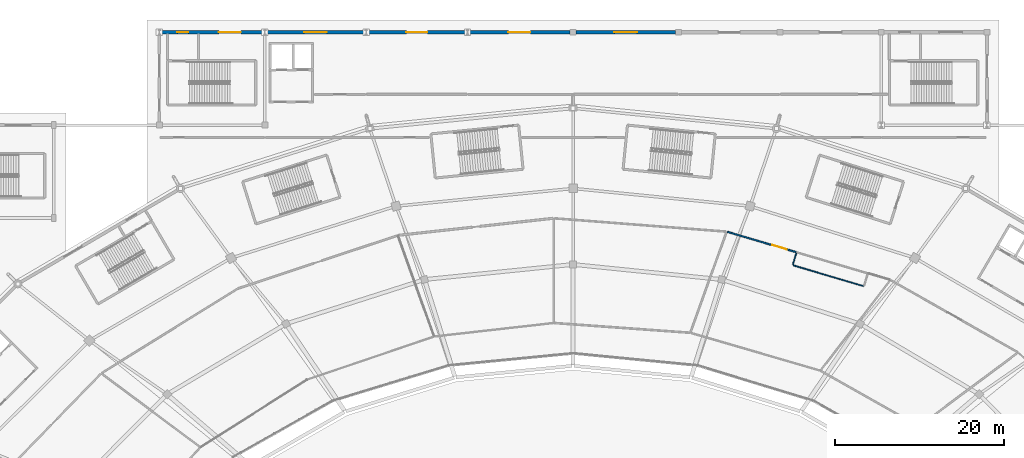
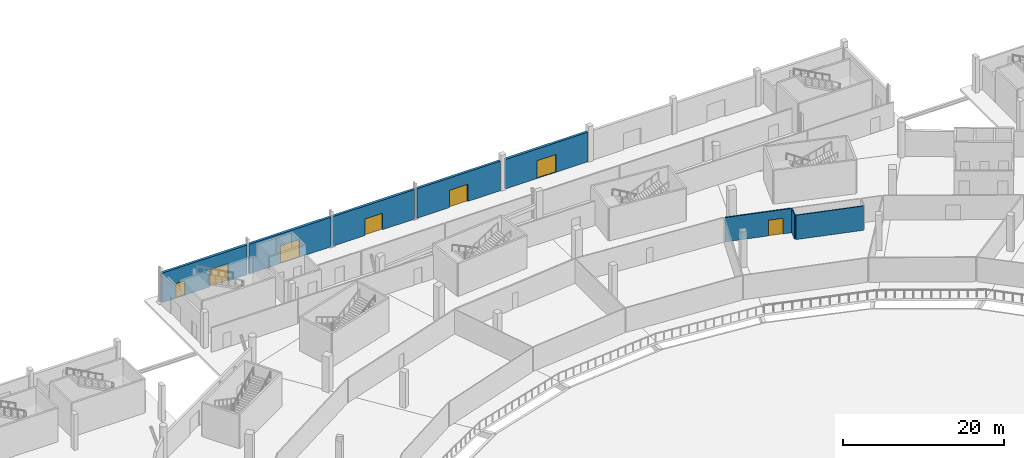
# One storey, part 51 of 82: 8 walls, 7 doors, 7 openings.
"""IFC4 building model written with IfcOpenShell, lengths in metres."""

from ifc_helpers import new_model, si_unit, direction, frame, frame_2d, origin, place, context, subcontext, project, spatial, rectangle, extrude, material, layer, layer_set, type_object, element, fill, save


model = new_model("IFC4")

# Units and contexts
model_context = context("Model", 3, precision=1e-05, world=origin(), true_north=direction((0.0, 1.0)))
body_context = subcontext(model_context, "Body", "Model", "MODEL_VIEW")
ifc_project = project(units=[si_unit("LENGTHUNIT", "METRE"), si_unit("AREAUNIT", "SQUARE_METRE"), si_unit("VOLUMEUNIT", "CUBIC_METRE"), si_unit("PLANEANGLEUNIT", "RADIAN"), si_unit("MASSUNIT", "GRAM", prefix="KILO")], contexts=[model_context])

# Site, building, storey
site_placement = place(None, origin())
site = spatial("IfcSite", under=ifc_project, at=site_placement, CompositionType="ELEMENT")
building_placement = place(site_placement, origin())
building = spatial("IfcBuilding", under=site, at=building_placement, Name="Zlatoyarsky Gate Stadium", CompositionType="ELEMENT")
storey_placement = place(building_placement, origin())
storey = spatial("IfcBuildingStorey", under=building, at=storey_placement, Name="L00", CompositionType="ELEMENT", Elevation=0.0)

# Wall, opening, door
ifc_material_1 = material(Name="Double-stud acoustic gypsum partition", Category="gypsum")
ifc_layer_1 = layer(ifc_material_1, 0.169921875)
ifc_layer_set_1 = layer_set([ifc_layer_1], Name="Double-stud acoustic gypsum partition")
wall_type_1 = type_object("IfcWallType", Name="ACOUSTIC BROADCAST STUDIO WALL 170", PredefinedType="PARTITIONING", material=ifc_layer_set_1)
wall_1_placement = place(storey_placement, frame((137.382080078125, 133.9658203125, 0.0), z_axis=(0.0, 0.0, 1.0), x_axis=(-0.959077382298, 0.283144088345, 0.0)))
wall_1 = element("IfcWall", 1, at=wall_1_placement, inside=storey, type_object=wall_type_1, Name="L00 interior partition PRT-L00-ICC-04", PredefinedType="PARTITIONING", context=body_context, shape_type="SweptSolid", body=[
    extrude(rectangle(XDim=8.461181640625, YDim=0.169921875, at=frame_2d((4.23046875, 0.0))), origin(), (0.0, 0.0, 1.0), 3.68994140625),
])
opening_1_placement = place(wall_1_placement, frame((1.10009765625, 0.0, 0.0)))
opening_1 = element("IfcOpeningElement", 2, at=opening_1_placement, cuts=wall_1, Name="Opening D-L00-120", PredefinedType="OPENING", context=body_context, shape_type="SweptSolid", body=[
    extrude(rectangle(XDim=1.820068359375, YDim=2.3798828125, at=frame_2d((0.91015625, 1.18994140625))), frame((0.0, 0.094970703125, 0.0), z_axis=(0.0, -1.0, 0.0), x_axis=(1.0, 0.0, 0.0)), (0.0, 0.0, 1.0), 0.18994140625),
])
ifc_material_2 = material(Name="Powder-coated steel fire door", Category="steel")
door_type_1 = type_object("IfcDoorType", Name="ACOUSTIC INTERIOR DOOR 1820X2380", OperationType="NOTDEFINED", PredefinedType="DOOR", material=ifc_material_2)
door_1_placement = place(opening_1_placement, origin())
door_1 = element("IfcDoor", 3, at=door_1_placement, inside=storey, type_object=door_type_1, Name="L00 room door D-L00-120", OperationType="SINGLE_SWING_LEFT", OverallHeight=2.3798828125, OverallWidth=1.820068359375, PredefinedType="DOOR", context=body_context, shape_type="SweptSolid", body=[
    extrude(rectangle(XDim=1.820068359375, YDim=2.3798828125, at=frame_2d((0.91015625, 1.18994140625))), frame((0.0, 0.02490234375, 0.0), z_axis=(0.0, -1.0, 0.0), x_axis=(1.0, 0.0, 0.0)), (0.0, 0.0, 1.0), 0.050048828125),
])
fill(opening_1, door_1)

# Wall, openings, doors
ifc_material_3 = material(Name="Limestone-faced insulated masonry wall", Category="masonry")
ifc_layer_2 = layer(ifc_material_3, 0.360107421875)
ifc_layer_set_2 = layer_set([ifc_layer_2], Name="Limestone-faced insulated masonry wall")
wall_type_2 = type_object("IfcWallType", Name="LIMESTONE CLAD CAVITY WALL 360", PredefinedType="STANDARD", material=ifc_layer_set_2)
wall_2_placement = place(storey_placement, frame((62.14697265625, 160.0, 0.0), z_axis=(0.0, 0.0, 1.0), x_axis=(1.0, 0.0, 0.0)))
wall_2 = element("IfcWall", 4, at=wall_2_placement, inside=storey, type_object=wall_type_2, Name="V2_NORTH L00 N exterior wall", PredefinedType="STANDARD", context=body_context, shape_type="SweptSolid", body=[
    extrude(rectangle(XDim=12.2060546875, YDim=0.360107421875, at=frame_2d((6.10302734375, 0.0))), origin(), (0.0, 0.0, 1.0), 4.47998046875),
])
opening_2_placement = place(wall_2_placement, frame((2.0029296875, 0.0, 0.0)))
opening_2 = element("IfcOpeningElement", 5, at=opening_2_placement, cuts=wall_2, Name="Opening ED-ST31", PredefinedType="OPENING", context=body_context, shape_type="SweptSolid", body=[
    extrude(rectangle(XDim=1.300048828125, YDim=2.199951171875, at=frame_2d((0.64990234375, 1.10009765625))), frame((0.0, 0.18994140625, 0.0), z_axis=(0.0, -1.0, 0.0), x_axis=(1.0, 0.0, 0.0)), (0.0, 0.0, 1.0), 0.380126953125),
])
opening_3_placement = place(wall_2_placement, frame((6.8994140625, 0.0, 0.0)))
opening_3 = element("IfcOpeningElement", 6, at=opening_3_placement, cuts=wall_2, Name="Opening E01", PredefinedType="OPENING", context=body_context, shape_type="SweptSolid", body=[
    extrude(rectangle(XDim=2.60009765625, YDim=2.60009765625, at=frame_2d((1.300048828125, 1.300048828125))), frame((0.0, 0.18994140625, 0.0), z_axis=(0.0, -1.0, 0.0), x_axis=(1.0, 0.0, 0.0)), (0.0, 0.0, 1.0), 0.380126953125),
])
ifc_material_4 = material(Name="Thermally broken powder-coated steel and laminated safety glass", Category="steel")
door_type_2 = type_object("IfcDoorType", Name="MAIN CIVIC ENTRANCE DOUBLE DOOR 2600X2600", OperationType="DOUBLE_DOOR_SINGLE_SWING", PredefinedType="DOOR", material=ifc_material_4)
door_2_placement = place(opening_3_placement, origin())
door_2 = element("IfcDoor", 7, at=door_2_placement, inside=storey, type_object=door_type_2, Name="Exterior door E01", OperationType="DOUBLE_DOOR_SINGLE_SWING", OverallHeight=2.60009765625, OverallWidth=2.60009765625, PredefinedType="DOOR", context=body_context, shape_type="SweptSolid", body=[
    extrude(rectangle(XDim=2.60009765625, YDim=2.60009765625, at=frame_2d((1.300048828125, 1.300048828125))), frame((0.0, 0.02490234375, 0.0), z_axis=(0.0, -1.0, 0.0), x_axis=(1.0, 0.0, 0.0)), (0.0, 0.0, 1.0), 0.050048828125),
])
fill(opening_3, door_2)
door_type_3 = type_object("IfcDoorType", Name="STAIR DISCHARGE FIRE EXIT DOOR 1300X2200", OperationType="NOTDEFINED", PredefinedType="DOOR", material=ifc_material_4)
door_3_placement = place(opening_2_placement, origin())
door_3 = element("IfcDoor", 8, at=door_3_placement, inside=storey, type_object=door_type_3, Name="Exterior door ED-ST31", OperationType="SINGLE_SWING_LEFT", OverallHeight=2.199951171875, OverallWidth=1.300048828125, PredefinedType="DOOR", context=body_context, shape_type="SweptSolid", body=[
    extrude(rectangle(XDim=1.300048828125, YDim=2.199951171875, at=frame_2d((0.64990234375, 1.10009765625))), frame((0.0, 0.02490234375, 0.0), z_axis=(0.0, -1.0, 0.0), x_axis=(1.0, 0.0, 0.0)), (0.0, 0.0, 1.0), 0.050048828125),
])
fill(opening_2, door_3)

# Wall, opening, door
wall_3_placement = place(storey_placement, frame((74.64697265625, 160.0, 0.0), z_axis=(0.0, 0.0, 1.0), x_axis=(1.0, 0.0, 0.0)))
wall_3 = element("IfcWall", 9, at=wall_3_placement, inside=storey, type_object=wall_type_2, Name="V2_NORTH L00 N exterior wall", PredefinedType="STANDARD", context=body_context, shape_type="SweptSolid", body=[
    extrude(rectangle(XDim=11.7060546875, YDim=0.360107421875, at=frame_2d((5.85302734375, 0.0))), origin(), (0.0, 0.0, 1.0), 4.47998046875),
])
opening_4_placement = place(wall_3_placement, frame((4.5029296875, 0.0, 0.0)))
opening_4 = element("IfcOpeningElement", 10, at=opening_4_placement, cuts=wall_3, Name="Opening E02", PredefinedType="OPENING", context=body_context, shape_type="SweptSolid", body=[
    extrude(rectangle(XDim=2.699951171875, YDim=2.699951171875, at=frame_2d((1.35009765625, 1.35009765625))), frame((0.0, 0.18994140625, 0.0), z_axis=(0.0, -1.0, 0.0), x_axis=(1.0, 0.0, 0.0)), (0.0, 0.0, 1.0), 0.380126953125),
])
door_type_4 = type_object("IfcDoorType", Name="MONUMENTAL GATE ENTRANCE DOOR 2700X2700", OperationType="DOUBLE_DOOR_SINGLE_SWING", PredefinedType="DOOR", material=ifc_material_4)
door_4_placement = place(opening_4_placement, origin())
door_4 = element("IfcDoor", 11, at=door_4_placement, inside=storey, type_object=door_type_4, Name="Exterior door E02", OperationType="DOUBLE_DOOR_SINGLE_SWING", OverallHeight=2.699951171875, OverallWidth=2.699951171875, PredefinedType="DOOR", context=body_context, shape_type="SweptSolid", body=[
    extrude(rectangle(XDim=2.699951171875, YDim=2.699951171875, at=frame_2d((1.35009765625, 1.35009765625))), frame((0.0, 0.02490234375, 0.0), z_axis=(0.0, -1.0, 0.0), x_axis=(1.0, 0.0, 0.0)), (0.0, 0.0, 1.0), 0.050048828125),
])
fill(opening_4, door_4)

wall_4_placement = place(storey_placement, frame((86.64697265625, 160.0, 0.0), z_axis=(0.0, 0.0, 1.0), x_axis=(1.0, 0.0, 0.0)))
wall_4 = element("IfcWall", 12, at=wall_4_placement, inside=storey, type_object=wall_type_2, Name="V2_NORTH L00 N exterior wall", PredefinedType="STANDARD", context=body_context, shape_type="SweptSolid", body=[
    extrude(rectangle(XDim=11.7060546875, YDim=0.360107421875, at=frame_2d((5.85302734375, 0.0))), origin(), (0.0, 0.0, 1.0), 4.47998046875),
])
opening_5_placement = place(wall_4_placement, frame((4.60302734375, 0.0, 0.0)))
opening_5 = element("IfcOpeningElement", 13, at=opening_5_placement, cuts=wall_4, Name="Opening E03", PredefinedType="OPENING", context=body_context, shape_type="SweptSolid", body=[
    extrude(rectangle(XDim=2.5, YDim=2.5, at=frame_2d((1.25, 1.25))), frame((0.0, 0.18994140625, 0.0), z_axis=(0.0, -1.0, 0.0), x_axis=(1.0, 0.0, 0.0)), (0.0, 0.0, 1.0), 0.380126953125),
])
door_type_5 = type_object("IfcDoorType", Name="PAVILION ENTRANCE DOUBLE DOOR 2500X2500", OperationType="DOUBLE_DOOR_SINGLE_SWING", PredefinedType="DOOR", material=ifc_material_4)
door_5_placement = place(opening_5_placement, origin())
door_5 = element("IfcDoor", 14, at=door_5_placement, inside=storey, type_object=door_type_5, Name="Exterior door E03", OperationType="DOUBLE_DOOR_SINGLE_SWING", OverallHeight=2.5, OverallWidth=2.5, PredefinedType="DOOR", context=body_context, shape_type="SweptSolid", body=[
    extrude(rectangle(XDim=2.5, YDim=2.5, at=frame_2d((1.25, 1.25))), frame((0.0, 0.02490234375, 0.0), z_axis=(0.0, -1.0, 0.0), x_axis=(1.0, 0.0, 0.0)), (0.0, 0.0, 1.0), 0.050048828125),
])
fill(opening_5, door_5)

wall_5_placement = place(storey_placement, frame((98.64697265625, 160.0, 0.0), z_axis=(0.0, 0.0, 1.0), x_axis=(1.0, 0.0, 0.0)))
wall_5 = element("IfcWall", 15, at=wall_5_placement, inside=storey, type_object=wall_type_2, Name="V2_NORTH L00 N exterior wall", PredefinedType="STANDARD", context=body_context, shape_type="SweptSolid", body=[
    extrude(rectangle(XDim=12.006103515625, YDim=0.360107421875, at=frame_2d((6.0029296875, 0.0))), origin(), (0.0, 0.0, 1.0), 4.47998046875),
])
opening_6_placement = place(wall_5_placement, frame((4.702880859375, 0.0, 0.0)))
opening_6 = element("IfcOpeningElement", 16, at=opening_6_placement, cuts=wall_5, Name="Opening E04", PredefinedType="OPENING", context=body_context, shape_type="SweptSolid", body=[
    extrude(rectangle(XDim=2.60009765625, YDim=2.60009765625, at=frame_2d((1.300048828125, 1.300048828125))), frame((0.0, 0.18994140625, 0.0), z_axis=(0.0, -1.0, 0.0), x_axis=(1.0, 0.0, 0.0)), (0.0, 0.0, 1.0), 0.380126953125),
])
door_6_placement = place(opening_6_placement, origin())
door_6 = element("IfcDoor", 17, at=door_6_placement, inside=storey, type_object=door_type_2, Name="Exterior door E04", OperationType="DOUBLE_DOOR_SINGLE_SWING", OverallHeight=2.60009765625, OverallWidth=2.60009765625, PredefinedType="DOOR", context=body_context, shape_type="SweptSolid", body=[
    extrude(rectangle(XDim=2.60009765625, YDim=2.60009765625, at=frame_2d((1.300048828125, 1.300048828125))), frame((0.0, 0.02490234375, 0.0), z_axis=(0.0, -1.0, 0.0), x_axis=(1.0, 0.0, 0.0)), (0.0, 0.0, 1.0), 0.050048828125),
])
fill(opening_6, door_6)

wall_6_placement = place(storey_placement, frame((111.346923828125, 160.0, 0.0), z_axis=(0.0, 0.0, 1.0), x_axis=(1.0, 0.0, 0.0)))
wall_6 = element("IfcWall", 18, at=wall_6_placement, inside=storey, type_object=wall_type_2, Name="V2_NORTH L00 N exterior wall", PredefinedType="STANDARD", context=body_context, shape_type="SweptSolid", body=[
    extrude(rectangle(XDim=11.80615234375, YDim=0.360107421875, at=frame_2d((5.903076171875, 0.0))), origin(), (0.0, 0.0, 1.0), 4.47998046875),
])
opening_7_placement = place(wall_6_placement, frame((4.552978515625, 0.0, 0.0)))
opening_7 = element("IfcOpeningElement", 19, at=opening_7_placement, cuts=wall_6, Name="Opening E05", PredefinedType="OPENING", context=body_context, shape_type="SweptSolid", body=[
    extrude(rectangle(XDim=2.699951171875, YDim=2.699951171875, at=frame_2d((1.35009765625, 1.35009765625))), frame((0.0, 0.18994140625, 0.0), z_axis=(0.0, -1.0, 0.0), x_axis=(1.0, 0.0, 0.0)), (0.0, 0.0, 1.0), 0.380126953125),
])
door_7_placement = place(opening_7_placement, origin())
door_7 = element("IfcDoor", 20, at=door_7_placement, inside=storey, type_object=door_type_4, Name="Exterior door E05", OperationType="DOUBLE_DOOR_SINGLE_SWING", OverallHeight=2.699951171875, OverallWidth=2.699951171875, PredefinedType="DOOR", context=body_context, shape_type="SweptSolid", body=[
    extrude(rectangle(XDim=2.699951171875, YDim=2.699951171875, at=frame_2d((1.35009765625, 1.35009765625))), frame((0.0, 0.02490234375, 0.0), z_axis=(0.0, -1.0, 0.0), x_axis=(1.0, 0.0, 0.0)), (0.0, 0.0, 1.0), 0.050048828125),
])
fill(opening_7, door_7)

# Walls
ifc_material_5 = material(Name="Moisture-resistant tile-backed partition", Category="gypsum")
ifc_layer_3 = layer(ifc_material_5, 0.1298828125)
ifc_layer_set_3 = layer_set([ifc_layer_3], Name="Moisture-resistant tile-backed partition")
wall_type_3 = type_object("IfcWallType", Name="SANITARY WET ROOM PARTITION 130", PredefinedType="PARTITIONING", material=ifc_layer_set_3)
wall_7_placement = place(storey_placement, frame((145.369140625, 129.939697265625, 0.0), z_axis=(0.0, 0.0, 1.0), x_axis=(-0.959075342625, 0.283150997119, 0.0)))
element("IfcWall", 21, at=wall_7_placement, inside=storey, type_object=wall_type_3, Name="L00 interior partition PRT-L00-WC04-B", PredefinedType="PARTITIONING", context=body_context, shape_type="SweptSolid", body=[
    extrude(rectangle(XDim=8.630126953125, YDim=0.1298828125, at=frame_2d((4.31494140625, 0.0))), origin(), (0.0, 0.0, 1.0), 3.68994140625),
])
wall_8_placement = place(storey_placement, frame((137.439697265625, 133.8603515625, 0.0), z_axis=(0.0, 0.0, 1.0), x_axis=(-0.283053511572, -0.95910411822, 0.0)))
element("IfcWall", 22, at=wall_8_placement, inside=storey, type_object=wall_type_3, Name="L00 interior partition PRT-L00-WC04-R", PredefinedType="PARTITIONING", context=body_context, shape_type="SweptSolid", body=[
    extrude(rectangle(XDim=1.43017578125, YDim=0.1298828125, at=frame_2d((0.715087890625, 0.0))), origin(), (0.0, 0.0, 1.0), 3.68994140625),
])

save(model, "model.ifc")
